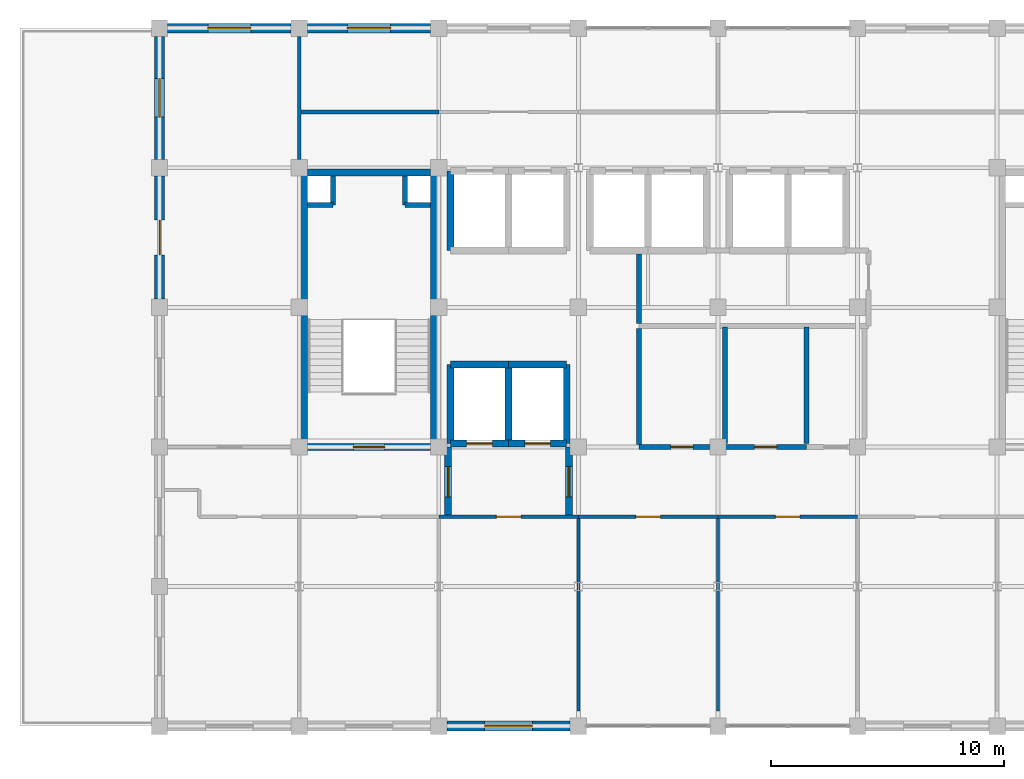
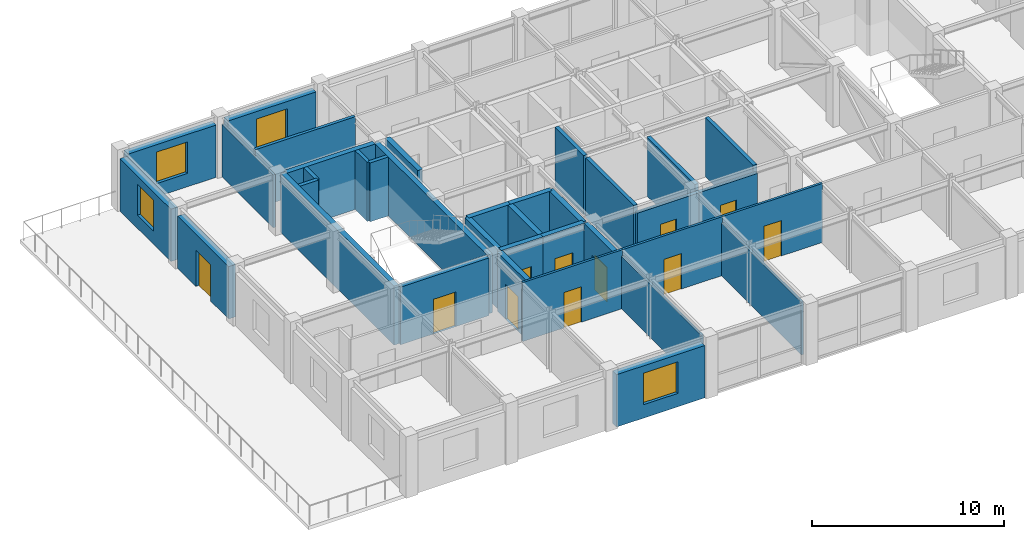
# One storey, part 12 of 15: 36 walls, 11 doors, 4 windows, 15 openings.
"""IFC4 building model written with IfcOpenShell, lengths in metres."""

from ifc_helpers import new_model, si_unit, direction, frame, frame_2d, origin, place, context, subcontext, project, spatial, rectangle, extrude, material, layer, layer_set, type_object, element, fill, save


model = new_model("IFC4")

# Units and contexts
model_context = context("Model", 3, precision=1e-05, world=origin(), true_north=direction((0.0, 1.0)))
body_context = subcontext(model_context, "Body", "Model", "MODEL_VIEW")
ifc_project = project(units=[si_unit("LENGTHUNIT", "METRE"), si_unit("AREAUNIT", "SQUARE_METRE"), si_unit("VOLUMEUNIT", "CUBIC_METRE"), si_unit("PLANEANGLEUNIT", "RADIAN"), si_unit("MASSUNIT", "GRAM", prefix="KILO")], contexts=[model_context])

# Site, building, storey
site_placement = place(None, origin())
site = spatial("IfcSite", under=ifc_project, at=site_placement, CompositionType="ELEMENT")
building_placement = place(site_placement, origin())
building = spatial("IfcBuilding", under=site, at=building_placement, Name="Zlatovratsky Civic Hall", CompositionType="ELEMENT")
storey_placement = place(building_placement, frame((0.0, 0.0, 36.60009765625)))
storey = spatial("IfcBuildingStorey", under=building, at=storey_placement, Name="L09", CompositionType="ELEMENT", Elevation=36.60009765625)

# Wall
ifc_material_1 = material(Name="Acoustic ceramic blockwork", Category="masonry")
ifc_layer_1 = layer(ifc_material_1, 0.179931640625)
ifc_layer_set_1 = layer_set([ifc_layer_1], Name="Acoustic ceramic blockwork")
wall_type_1 = type_object("IfcWallType", Name="Wall_AcousticChamberPartition_180", PredefinedType="PARTITIONING", material=ifc_layer_set_1)
wall_1_placement = place(storey_placement, frame((66.0, 98.39990234375, 0.0), z_axis=(0.0, 0.0, 1.0), x_axis=(1.0, 0.0, 0.0)))
element("IfcWall", 1, at=wall_1_placement, inside=storey, type_object=wall_type_1, Name="WL-6475", PredefinedType="PARTITIONING", context=body_context, shape_type="SweptSolid", body=[
    extrude(rectangle(XDim=6.0, YDim=0.179931640625, at=frame_2d((3.0, 0.0))), origin(), (0.0, 0.0, 1.0), 3.739990234375),
])

# Wall, opening, door
ifc_material_2 = material(Name="Fire-rated gypsum board framing", Category="gypsum")
ifc_layer_2 = layer(ifc_material_2, 0.139892578125)
ifc_layer_set_2 = layer_set([ifc_layer_2], Name="Fire-rated gypsum board framing")
wall_type_2 = type_object("IfcWallType", Name="Wall_OfficePartition_140", PredefinedType="PARTITIONING", material=ifc_layer_set_2)
wall_2_placement = place(storey_placement, frame((72.0, 81.0, 0.0), z_axis=(0.0, 0.0, 1.0), x_axis=(1.0, 0.0, 0.0)))
wall_2 = element("IfcWall", 2, at=wall_2_placement, inside=storey, type_object=wall_type_2, Name="WL-6448", PredefinedType="PARTITIONING", context=body_context, shape_type="SweptSolid", body=[
    extrude(rectangle(XDim=6.0, YDim=0.139892578125, at=frame_2d((3.0, 0.0))), origin(), (0.0, 0.0, 1.0), 3.739990234375),
])
opening_1_placement = place(wall_2_placement, frame((2.47509765625, 0.0, 0.0)))
opening_1 = element("IfcOpeningElement", 3, at=opening_1_placement, cuts=wall_2, Name="Opening D-24", PredefinedType="OPENING", context=body_context, shape_type="SweptSolid", body=[
    extrude(rectangle(XDim=1.050048828125, YDim=2.25, at=frame_2d((0.52490234375, 1.125))), frame((0.0, 0.0849609375, 0.0), z_axis=(0.0, -1.0, 0.0), x_axis=(1.0, 0.0, 0.0)), (0.0, 0.0, 1.0), 0.169677734375),
])
ifc_material_3 = material(Name="Solid oak joinery in steel frame", Category="steel")
door_type_1 = type_object("IfcDoorType", Name="Door_DirectorateOffice_1050x2250", OperationType="NOTDEFINED", PredefinedType="DOOR", material=ifc_material_3)
door_1_placement = place(opening_1_placement, origin())
door_1 = element("IfcDoor", 4, at=door_1_placement, inside=storey, type_object=door_type_1, Name="DR-5422", OperationType="SINGLE_SWING_RIGHT", OverallHeight=2.25, OverallWidth=1.050048828125, PredefinedType="DOOR", context=body_context, shape_type="SweptSolid", body=[
    extrude(rectangle(XDim=1.050048828125, YDim=2.25, at=frame_2d((0.52490234375, 1.125))), frame((0.0, 0.02490234375, 0.0), z_axis=(0.0, -1.0, 0.0), x_axis=(1.0, 0.0, 0.0)), (0.0, 0.0, 1.0), 0.050048828125),
])
fill(opening_1, door_1)

wall_3_placement = place(storey_placement, frame((78.0, 81.0, 0.0), z_axis=(0.0, 0.0, 1.0), x_axis=(1.0, 0.0, 0.0)))
wall_3 = element("IfcWall", 5, at=wall_3_placement, inside=storey, type_object=wall_type_2, Name="WL-6449", PredefinedType="PARTITIONING", context=body_context, shape_type="SweptSolid", body=[
    extrude(rectangle(XDim=6.0, YDim=0.139892578125, at=frame_2d((3.0, 0.0))), origin(), (0.0, 0.0, 1.0), 3.739990234375),
])
opening_2_placement = place(wall_3_placement, frame((2.47509765625, 0.0, 0.0)))
opening_2 = element("IfcOpeningElement", 6, at=opening_2_placement, cuts=wall_3, Name="Opening D-24", PredefinedType="OPENING", context=body_context, shape_type="SweptSolid", body=[
    extrude(rectangle(XDim=1.050048828125, YDim=2.25, at=frame_2d((0.52490234375, 1.125))), frame((0.0, 0.0849609375, 0.0), z_axis=(0.0, -1.0, 0.0), x_axis=(1.0, 0.0, 0.0)), (0.0, 0.0, 1.0), 0.169677734375),
])
door_2_placement = place(opening_2_placement, origin())
door_2 = element("IfcDoor", 7, at=door_2_placement, inside=storey, type_object=door_type_1, Name="DR-5423", OperationType="SINGLE_SWING_RIGHT", OverallHeight=2.25, OverallWidth=1.050048828125, PredefinedType="DOOR", context=body_context, shape_type="SweptSolid", body=[
    extrude(rectangle(XDim=1.050048828125, YDim=2.25, at=frame_2d((0.52490234375, 1.125))), frame((0.0, 0.02490234375, 0.0), z_axis=(0.0, -1.0, 0.0), x_axis=(1.0, 0.0, 0.0)), (0.0, 0.0, 1.0), 0.050048828125),
])
fill(opening_2, door_2)

wall_4_placement = place(storey_placement, frame((84.0, 81.0, 0.0), z_axis=(0.0, 0.0, 1.0), x_axis=(1.0, 0.0, 0.0)))
wall_4 = element("IfcWall", 8, at=wall_4_placement, inside=storey, type_object=wall_type_2, Name="WL-6450", PredefinedType="PARTITIONING", context=body_context, shape_type="SweptSolid", body=[
    extrude(rectangle(XDim=6.0, YDim=0.139892578125, at=frame_2d((3.0, 0.0))), origin(), (0.0, 0.0, 1.0), 3.739990234375),
])
opening_3_placement = place(wall_4_placement, frame((2.47509765625, 0.0, 0.0)))
opening_3 = element("IfcOpeningElement", 9, at=opening_3_placement, cuts=wall_4, Name="Opening D-24", PredefinedType="OPENING", context=body_context, shape_type="SweptSolid", body=[
    extrude(rectangle(XDim=1.050048828125, YDim=2.25, at=frame_2d((0.52490234375, 1.125))), frame((0.0, 0.0849609375, 0.0), z_axis=(0.0, -1.0, 0.0), x_axis=(1.0, 0.0, 0.0)), (0.0, 0.0, 1.0), 0.169677734375),
])
door_3_placement = place(opening_3_placement, origin())
door_3 = element("IfcDoor", 10, at=door_3_placement, inside=storey, type_object=door_type_1, Name="DR-5424", OperationType="SINGLE_SWING_RIGHT", OverallHeight=2.25, OverallWidth=1.050048828125, PredefinedType="DOOR", context=body_context, shape_type="SweptSolid", body=[
    extrude(rectangle(XDim=1.050048828125, YDim=2.25, at=frame_2d((0.52490234375, 1.125))), frame((0.0, 0.02490234375, 0.0), z_axis=(0.0, -1.0, 0.0), x_axis=(1.0, 0.0, 0.0)), (0.0, 0.0, 1.0), 0.050048828125),
])
fill(opening_3, door_3)

# Walls
for number, where, z_axis, x_axis, name in (
    (11, (78.0, 72.64990234375, 0.0), (0.0, 0.0, 1.0), (0.0, 1.0, 0.0), "WL-6460"),
    (12, (84.0, 72.64990234375, 0.0), (0.0, 0.0, 1.0), (0.0, 1.0, 0.0), "WL-6461"),
):
    element("IfcWall", number, at=place(storey_placement, frame(where, z_axis=z_axis, x_axis=x_axis)), inside=storey, type_object=wall_type_2, Name=name, PredefinedType="PARTITIONING", context=body_context, shape_type="SweptSolid", body=[
        extrude(rectangle(XDim=8.35009765625, YDim=0.139892578125, at=frame_2d((4.175048828125, 0.0))), origin(), (0.0, 0.0, 1.0), 3.347900390625),
    ])
wall_5_placement = place(storey_placement, frame((66.0, 96.35009765625, 0.0), z_axis=(0.0, 0.0, 1.0), x_axis=(0.0, 1.0, 0.0)))
element("IfcWall", 13, at=wall_5_placement, inside=storey, type_object=wall_type_2, Name="WL-6478", PredefinedType="PARTITIONING", context=body_context, shape_type="SweptSolid", body=[
    extrude(rectangle(XDim=5.2998046875, YDim=0.139892578125, at=frame_2d((2.64990234375, 0.0))), origin(), (0.0, 0.0, 1.0), 3.347900390625),
])
ifc_layer_3 = layer(ifc_material_1, 0.219970703125)
ifc_layer_set_3 = layer_set([ifc_layer_3], Name="Acoustic ceramic blockwork")
wall_type_3 = type_object("IfcWallType", Name="Wall_SanitaryWetCore_220", PredefinedType="PARTITIONING", material=ifc_layer_set_3)
wall_6_placement = place(storey_placement, frame((67.449951171875, 94.39990234375, 0.0), z_axis=(0.0, 0.0, 1.0), x_axis=(0.0, 1.0, 0.0)))
element("IfcWall", 14, at=wall_6_placement, inside=storey, type_object=wall_type_3, Name="WL-5077", PredefinedType="PARTITIONING", context=body_context, shape_type="SweptSolid", body=[
    extrude(rectangle(XDim=1.25, YDim=0.219970703125, at=frame_2d((0.625, 0.0))), origin(), (0.0, 0.0, 1.0), 3.739990234375),
])
wall_7_placement = place(storey_placement, frame((66.35009765625, 94.39990234375, 0.0), z_axis=(0.0, 0.0, 1.0), x_axis=(1.0, 0.0, 0.0)))
element("IfcWall", 15, at=wall_7_placement, inside=storey, type_object=wall_type_3, Name="WL-5078", PredefinedType="PARTITIONING", context=body_context, shape_type="SweptSolid", body=[
    extrude(rectangle(XDim=1.099853515625, YDim=0.219970703125, at=frame_2d((0.5498046875, 0.0))), origin(), (0.0, 0.0, 1.0), 3.739990234375),
])
wall_8_placement = place(storey_placement, frame((70.550048828125, 94.39990234375, 0.0), z_axis=(0.0, 0.0, 1.0), x_axis=(0.0, 1.0, 0.0)))
element("IfcWall", 16, at=wall_8_placement, inside=storey, type_object=wall_type_3, Name="WL-5079", PredefinedType="PARTITIONING", context=body_context, shape_type="SweptSolid", body=[
    extrude(rectangle(XDim=1.25, YDim=0.219970703125, at=frame_2d((0.625, 0.0))), origin(), (0.0, 0.0, 1.0), 3.739990234375),
])
wall_9_placement = place(storey_placement, frame((70.550048828125, 94.39990234375, 0.0), z_axis=(0.0, 0.0, 1.0), x_axis=(1.0, 0.0, 0.0)))
element("IfcWall", 17, at=wall_9_placement, inside=storey, type_object=wall_type_3, Name="WL-5080", PredefinedType="PARTITIONING", context=body_context, shape_type="SweptSolid", body=[
    extrude(rectangle(XDim=1.099853515625, YDim=0.219970703125, at=frame_2d((0.5498046875, 0.0))), origin(), (0.0, 0.0, 1.0), 3.739990234375),
])

# Wall, opening, door
wall_10_placement = place(storey_placement, frame((80.60009765625, 84.0, 0.0), z_axis=(0.0, 0.0, 1.0), x_axis=(1.0, 0.0, 0.0)))
wall_10 = element("IfcWall", 18, at=wall_10_placement, inside=storey, type_object=wall_type_3, Name="WL-6439", PredefinedType="PARTITIONING", context=body_context, shape_type="SweptSolid", body=[
    extrude(rectangle(XDim=3.699951171875, YDim=0.219970703125, at=frame_2d((1.85009765625, 0.0))), origin(), (0.0, 0.0, 1.0), 3.347900390625),
])
opening_4_placement = place(wall_10_placement, frame((1.375, 0.0, 0.0)))
opening_4 = element("IfcOpeningElement", 19, at=opening_4_placement, cuts=wall_10, Name="Opening D-21", PredefinedType="OPENING", context=body_context, shape_type="SweptSolid", body=[
    extrude(rectangle(XDim=0.949951171875, YDim=2.14990234375, at=frame_2d((0.47509765625, 1.074951171875))), frame((0.0, 0.125, 0.0), z_axis=(0.0, -1.0, 0.0), x_axis=(1.0, 0.0, 0.0)), (0.0, 0.0, 1.0), 0.249755859375),
])
door_type_2 = type_object("IfcDoorType", Name="Door_MensWC_950x2150", OperationType="NOTDEFINED", PredefinedType="DOOR", material=ifc_material_3)
door_4_placement = place(opening_4_placement, origin())
door_4 = element("IfcDoor", 20, at=door_4_placement, inside=storey, type_object=door_type_2, Name="DR-5416", OperationType="SINGLE_SWING_LEFT", OverallHeight=2.14990234375, OverallWidth=0.949951171875, PredefinedType="DOOR", context=body_context, shape_type="SweptSolid", body=[
    extrude(rectangle(XDim=0.949951171875, YDim=2.14990234375, at=frame_2d((0.47509765625, 1.074951171875))), frame((0.0, 0.02490234375, 0.0), z_axis=(0.0, -1.0, 0.0), x_axis=(1.0, 0.0, 0.0)), (0.0, 0.0, 1.0), 0.050048828125),
])
fill(opening_4, door_4)

wall_11_placement = place(storey_placement, frame((84.300048828125, 84.0, 0.0), z_axis=(0.0, 0.0, 1.0), x_axis=(1.0, 0.0, 0.0)))
wall_11 = element("IfcWall", 21, at=wall_11_placement, inside=storey, type_object=wall_type_3, Name="WL-6440", PredefinedType="PARTITIONING", context=body_context, shape_type="SweptSolid", body=[
    extrude(rectangle(XDim=3.5, YDim=0.219970703125, at=frame_2d((1.75, 0.0))), origin(), (0.0, 0.0, 1.0), 3.347900390625),
])
opening_5_placement = place(wall_11_placement, frame((1.27490234375, 0.0, 0.0)))
opening_5 = element("IfcOpeningElement", 22, at=opening_5_placement, cuts=wall_11, Name="Opening D-22", PredefinedType="OPENING", context=body_context, shape_type="SweptSolid", body=[
    extrude(rectangle(XDim=0.949951171875, YDim=2.10009765625, at=frame_2d((0.47509765625, 1.050048828125))), frame((0.0, 0.125, 0.0), z_axis=(0.0, -1.0, 0.0), x_axis=(1.0, 0.0, 0.0)), (0.0, 0.0, 1.0), 0.249755859375),
])
door_type_3 = type_object("IfcDoorType", Name="Door_WomensWC_950x2100", OperationType="NOTDEFINED", PredefinedType="DOOR", material=ifc_material_3)
door_5_placement = place(opening_5_placement, origin())
door_5 = element("IfcDoor", 23, at=door_5_placement, inside=storey, type_object=door_type_3, Name="DR-5417", OperationType="SINGLE_SWING_RIGHT", OverallHeight=2.10009765625, OverallWidth=0.949951171875, PredefinedType="DOOR", context=body_context, shape_type="SweptSolid", body=[
    extrude(rectangle(XDim=0.949951171875, YDim=2.10009765625, at=frame_2d((0.47509765625, 1.050048828125))), frame((0.0, 0.02490234375, 0.0), z_axis=(0.0, -1.0, 0.0), x_axis=(1.0, 0.0, 0.0)), (0.0, 0.0, 1.0), 0.050048828125),
])
fill(opening_5, door_5)

# Walls
for number, where, z_axis, x_axis, name in (
    (24, (84.300048828125, 84.14990234375, 0.0), (0.0, 0.0, 1.0), (0.0, 1.0, 0.0), "WL-6442"),
    (25, (87.800048828125, 84.14990234375, 0.0), (0.0, 0.0, 1.0), (0.0, 1.0, 0.0), "WL-6443"),
):
    element("IfcWall", number, at=place(storey_placement, frame(where, z_axis=z_axis, x_axis=x_axis)), inside=storey, type_object=wall_type_3, Name=name, PredefinedType="PARTITIONING", context=body_context, shape_type="SweptSolid", body=[
        extrude(rectangle(XDim=5.0, YDim=0.219970703125, at=frame_2d((2.5, 0.0))), origin(), (0.0, 0.0, 1.0), 3.739990234375),
    ])
wall_12_placement = place(storey_placement, frame((80.60009765625, 84.110107421875, 0.0), z_axis=(0.0, 0.0, 1.0), x_axis=(0.0, 1.0, 0.0)))
element("IfcWall", 26, at=wall_12_placement, inside=storey, type_object=wall_type_3, Name="WL-6466", PredefinedType="PARTITIONING", context=body_context, shape_type="SweptSolid", body=[
    extrude(rectangle(XDim=4.97998046875, YDim=0.219970703125, at=frame_2d((2.489990234375, 0.0))), origin(), (0.0, 0.0, 1.0), 3.739990234375),
])
wall_13_placement = place(storey_placement, frame((80.60009765625, 89.31005859375, 0.0), z_axis=(0.0, 0.0, 1.0), x_axis=(0.0, 1.0, 0.0)))
element("IfcWall", 27, at=wall_13_placement, inside=storey, type_object=wall_type_3, Name="WL-6468", PredefinedType="PARTITIONING", context=body_context, shape_type="SweptSolid", body=[
    extrude(rectangle(XDim=2.989990234375, YDim=0.219970703125, at=frame_2d((1.4951171875, 0.0))), origin(), (0.0, 0.0, 1.0), 3.739990234375),
])

# Wall, opening, door
ifc_material_4 = material(Name="Concrete C35/45 (B40)", Category="concrete")
ifc_layer_4 = layer(ifc_material_4, 0.300048828125)
ifc_layer_set_4 = layer_set([ifc_layer_4], Name="Concrete C35/45 (B40)")
wall_type_4 = type_object("IfcWallType", Name="Wall_StairAndLiftShaft_300", PredefinedType="SHEAR", material=ifc_layer_set_4)
wall_14_placement = place(storey_placement, frame((66.35009765625, 84.0, 0.0), z_axis=(0.0, 0.0, 1.0), x_axis=(1.0, 0.0, 0.0)))
wall_14 = element("IfcWall", 28, at=wall_14_placement, inside=storey, type_object=wall_type_4, Name="WL-5073", PredefinedType="SHEAR", context=body_context, shape_type="SweptSolid", body=[
    extrude(rectangle(XDim=5.2998046875, YDim=0.300048828125, at=frame_2d((2.64990234375, 0.0))), origin(), (0.0, 0.0, 1.0), 3.659912109375),
])
opening_6_placement = place(wall_14_placement, frame((1.97509765625, 0.0, 0.0)))
opening_6 = element("IfcOpeningElement", 29, at=opening_6_placement, cuts=wall_14, Name="Opening D-17", PredefinedType="OPENING", context=body_context, shape_type="SweptSolid", body=[
    extrude(rectangle(XDim=1.35009765625, YDim=2.199951171875, at=frame_2d((0.675048828125, 1.10009765625))), frame((0.0, 0.1650390625, 0.0), z_axis=(0.0, -1.0, 0.0), x_axis=(1.0, 0.0, 0.0)), (0.0, 0.0, 1.0), 0.329833984375),
])
ifc_material_5 = material(Name="Insulated painted fire-rated steel leaf", Category="steel")
door_type_4 = type_object("IfcDoorType", Name="Door_StairwellFireTower_1350x2200", OperationType="NOTDEFINED", PredefinedType="DOOR", material=ifc_material_5)
door_6_placement = place(opening_6_placement, origin())
door_6 = element("IfcDoor", 30, at=door_6_placement, inside=storey, type_object=door_type_4, Name="DR-5010", OperationType="SINGLE_SWING_LEFT", OverallHeight=2.199951171875, OverallWidth=1.35009765625, PredefinedType="DOOR", context=body_context, shape_type="SweptSolid", body=[
    extrude(rectangle(XDim=1.35009765625, YDim=2.199951171875, at=frame_2d((0.675048828125, 1.10009765625))), frame((0.0, 0.02490234375, 0.0), z_axis=(0.0, -1.0, 0.0), x_axis=(1.0, 0.0, 0.0)), (0.0, 0.0, 1.0), 0.050048828125),
])
fill(opening_6, door_6)

# Walls
wall_15_placement = place(storey_placement, frame((66.35009765625, 95.800048828125, 0.0), z_axis=(0.0, 0.0, 1.0), x_axis=(1.0, 0.0, 0.0)))
element("IfcWall", 31, at=wall_15_placement, inside=storey, type_object=wall_type_4, Name="WL-5074", PredefinedType="SHEAR", context=body_context, shape_type="SweptSolid", body=[
    extrude(rectangle(XDim=5.2998046875, YDim=0.300048828125, at=frame_2d((2.64990234375, 0.0))), origin(), (0.0, 0.0, 1.0), 3.739990234375),
])
for number, where, z_axis, x_axis, name in (
    (32, (66.199951171875, 84.0, 0.0), (0.0, 0.0, 1.0), (0.0, 1.0, 0.0), "WL-5075"),
    (33, (71.800048828125, 84.0, 0.0), (0.0, 0.0, 1.0), (0.0, 1.0, 0.0), "WL-5076"),
):
    element("IfcWall", number, at=place(storey_placement, frame(where, z_axis=z_axis, x_axis=x_axis)), inside=storey, type_object=wall_type_4, Name=name, PredefinedType="SHEAR", context=body_context, shape_type="SweptSolid", body=[
        extrude(rectangle(XDim=11.800048828125, YDim=0.300048828125, at=frame_2d((5.89990234375, 0.0))), origin(), (0.0, 0.0, 1.0), 3.739990234375),
    ])

# Wall, opening, door
wall_16_placement = place(storey_placement, frame((72.5, 84.14990234375, 0.0), z_axis=(0.0, 0.0, 1.0), x_axis=(1.0, 0.0, 0.0)))
wall_16 = element("IfcWall", 34, at=wall_16_placement, inside=storey, type_object=wall_type_4, Name="WL-5520", PredefinedType="SHEAR", context=body_context, shape_type="SweptSolid", body=[
    extrude(rectangle(XDim=2.5, YDim=0.300048828125, at=frame_2d((1.25, 0.0))), origin(), (0.0, 0.0, 1.0), 3.739990234375),
])
opening_7_placement = place(wall_16_placement, frame((0.699951171875, 0.0, 0.0)))
opening_7 = element("IfcOpeningElement", 35, at=opening_7_placement, cuts=wall_16, Name="Opening LD-01", PredefinedType="OPENING", context=body_context, shape_type="SweptSolid", body=[
    extrude(rectangle(XDim=1.10009765625, YDim=2.10009765625, at=frame_2d((0.550048828125, 1.050048828125))), frame((0.0, 0.1650390625, 0.0), z_axis=(0.0, -1.0, 0.0), x_axis=(1.0, 0.0, 0.0)), (0.0, 0.0, 1.0), 0.329833984375),
])
ifc_material_6 = material(Name="Brushed stainless steel AISI 304", Category="steel")
door_type_5 = type_object("IfcDoorType", Name="Door_LiftLandingFire_1100x2100", OperationType="DOUBLE_DOOR_SLIDING", PredefinedType="DOOR", material=ifc_material_6)
door_7_placement = place(opening_7_placement, origin())
door_7 = element("IfcDoor", 36, at=door_7_placement, inside=storey, type_object=door_type_5, Name="Lift landing door LD-5068", OperationType="DOUBLE_DOOR_SLIDING", OverallHeight=2.10009765625, OverallWidth=1.10009765625, PredefinedType="DOOR", context=body_context, shape_type="SweptSolid", body=[
    extrude(rectangle(XDim=1.10009765625, YDim=2.10009765625, at=frame_2d((0.550048828125, 1.050048828125))), frame((0.0, 0.02490234375, 0.0), z_axis=(0.0, -1.0, 0.0), x_axis=(1.0, 0.0, 0.0)), (0.0, 0.0, 1.0), 0.050048828125),
])
fill(opening_7, door_7)

# Walls
wall_17_placement = place(storey_placement, frame((72.5, 87.550048828125, 0.0), z_axis=(0.0, 0.0, 1.0), x_axis=(1.0, 0.0, 0.0)))
element("IfcWall", 37, at=wall_17_placement, inside=storey, type_object=wall_type_4, Name="WL-5521", PredefinedType="SHEAR", context=body_context, shape_type="SweptSolid", body=[
    extrude(rectangle(XDim=2.5, YDim=0.300048828125, at=frame_2d((1.25, 0.0))), origin(), (0.0, 0.0, 1.0), 3.739990234375),
])
wall_18_placement = place(storey_placement, frame((72.5, 84.14990234375, 0.0), z_axis=(0.0, 0.0, 1.0), x_axis=(0.0, 1.0, 0.0)))
element("IfcWall", 38, at=wall_18_placement, inside=storey, type_object=wall_type_4, Name="WL-5522", PredefinedType="SHEAR", context=body_context, shape_type="SweptSolid", body=[
    extrude(rectangle(XDim=3.400146484375, YDim=0.300048828125, at=frame_2d((1.7001953125, 0.0))), origin(), (0.0, 0.0, 1.0), 3.739990234375),
])

# Wall, opening, door
wall_19_placement = place(storey_placement, frame((75.0, 84.14990234375, 0.0), z_axis=(0.0, 0.0, 1.0), x_axis=(1.0, 0.0, 0.0)))
wall_19 = element("IfcWall", 39, at=wall_19_placement, inside=storey, type_object=wall_type_4, Name="WL-5586", PredefinedType="SHEAR", context=body_context, shape_type="SweptSolid", body=[
    extrude(rectangle(XDim=2.5, YDim=0.300048828125, at=frame_2d((1.25, 0.0))), origin(), (0.0, 0.0, 1.0), 3.739990234375),
])
opening_8_placement = place(wall_19_placement, frame((0.699951171875, 0.0, 0.0)))
opening_8 = element("IfcOpeningElement", 40, at=opening_8_placement, cuts=wall_19, Name="Opening LD-01", PredefinedType="OPENING", context=body_context, shape_type="SweptSolid", body=[
    extrude(rectangle(XDim=1.10009765625, YDim=2.10009765625, at=frame_2d((0.550048828125, 1.050048828125))), frame((0.0, 0.1650390625, 0.0), z_axis=(0.0, -1.0, 0.0), x_axis=(1.0, 0.0, 0.0)), (0.0, 0.0, 1.0), 0.329833984375),
])
door_8_placement = place(opening_8_placement, origin())
door_8 = element("IfcDoor", 41, at=door_8_placement, inside=storey, type_object=door_type_5, Name="Lift landing door LD-5087", OperationType="DOUBLE_DOOR_SLIDING", OverallHeight=2.10009765625, OverallWidth=1.10009765625, PredefinedType="DOOR", context=body_context, shape_type="SweptSolid", body=[
    extrude(rectangle(XDim=1.10009765625, YDim=2.10009765625, at=frame_2d((0.550048828125, 1.050048828125))), frame((0.0, 0.02490234375, 0.0), z_axis=(0.0, -1.0, 0.0), x_axis=(1.0, 0.0, 0.0)), (0.0, 0.0, 1.0), 0.050048828125),
])
fill(opening_8, door_8)

# Walls
wall_20_placement = place(storey_placement, frame((75.0, 87.550048828125, 0.0), z_axis=(0.0, 0.0, 1.0), x_axis=(1.0, 0.0, 0.0)))
element("IfcWall", 42, at=wall_20_placement, inside=storey, type_object=wall_type_4, Name="WL-5587", PredefinedType="SHEAR", context=body_context, shape_type="SweptSolid", body=[
    extrude(rectangle(XDim=2.5, YDim=0.300048828125, at=frame_2d((1.25, 0.0))), origin(), (0.0, 0.0, 1.0), 3.739990234375),
])
for number, where, z_axis, x_axis, name in (
    (43, (75.0, 84.14990234375, 0.0), (0.0, 0.0, 1.0), (0.0, 1.0, 0.0), "WL-5588"),
    (44, (77.5, 84.14990234375, 0.0), (0.0, 0.0, 1.0), (0.0, 1.0, 0.0), "WL-5589"),
    (45, (72.5, 92.449951171875, 0.0), (0.0, 0.0, 1.0), (0.0, 1.0, 0.0), "WL-5655"),
):
    element("IfcWall", number, at=place(storey_placement, frame(where, z_axis=z_axis, x_axis=x_axis)), inside=storey, type_object=wall_type_4, Name=name, PredefinedType="SHEAR", context=body_context, shape_type="SweptSolid", body=[
        extrude(rectangle(XDim=3.400146484375, YDim=0.300048828125, at=frame_2d((1.7001953125, 0.0))), origin(), (0.0, 0.0, 1.0), 3.739990234375),
    ])

# Wall, opening, door
wall_21_placement = place(storey_placement, frame((72.39990234375, 81.0, 0.0), z_axis=(0.0, 0.0, 1.0), x_axis=(0.0, 1.0, 0.0)))
wall_21 = element("IfcWall", 46, at=wall_21_placement, inside=storey, type_object=wall_type_4, Name="WL-6437", PredefinedType="SHEAR", context=body_context, shape_type="SweptSolid", body=[
    extrude(rectangle(XDim=3.0, YDim=0.300048828125, at=frame_2d((1.5, 0.0))), origin(), (0.0, 0.0, 1.0), 3.739990234375),
])
opening_9_placement = place(wall_21_placement, frame((0.85009765625, 0.0, 0.0)))
opening_9 = element("IfcOpeningElement", 47, at=opening_9_placement, cuts=wall_21, Name="Opening D-18", PredefinedType="OPENING", context=body_context, shape_type="SweptSolid", body=[
    extrude(rectangle(XDim=1.300048828125, YDim=2.199951171875, at=frame_2d((0.64990234375, 1.10009765625))), frame((0.0, 0.1650390625, 0.0), z_axis=(0.0, -1.0, 0.0), x_axis=(1.0, 0.0, 0.0)), (0.0, 0.0, 1.0), 0.329833984375),
])
door_type_6 = type_object("IfcDoorType", Name="Door_FireLobbyAirlock_1300x2200", OperationType="NOTDEFINED", PredefinedType="DOOR", material=ifc_material_5)
door_9_placement = place(opening_9_placement, origin())
door_9 = element("IfcDoor", 48, at=door_9_placement, inside=storey, type_object=door_type_6, Name="DR-5414", OperationType="SINGLE_SWING_RIGHT", OverallHeight=2.199951171875, OverallWidth=1.300048828125, PredefinedType="DOOR", context=body_context, shape_type="SweptSolid", body=[
    extrude(rectangle(XDim=1.300048828125, YDim=2.199951171875, at=frame_2d((0.64990234375, 1.10009765625))), frame((0.0, 0.02490234375, 0.0), z_axis=(0.0, -1.0, 0.0), x_axis=(1.0, 0.0, 0.0)), (0.0, 0.0, 1.0), 0.050048828125),
])
fill(opening_9, door_9)

wall_22_placement = place(storey_placement, frame((77.60009765625, 81.0, 0.0), z_axis=(0.0, 0.0, 1.0), x_axis=(0.0, 1.0, 0.0)))
wall_22 = element("IfcWall", 49, at=wall_22_placement, inside=storey, type_object=wall_type_4, Name="WL-6438", PredefinedType="SHEAR", context=body_context, shape_type="SweptSolid", body=[
    extrude(rectangle(XDim=3.0, YDim=0.300048828125, at=frame_2d((1.5, 0.0))), origin(), (0.0, 0.0, 1.0), 3.739990234375),
])
opening_10_placement = place(wall_22_placement, frame((0.85009765625, 0.0, 0.0)))
opening_10 = element("IfcOpeningElement", 50, at=opening_10_placement, cuts=wall_22, Name="Opening D-18", PredefinedType="OPENING", context=body_context, shape_type="SweptSolid", body=[
    extrude(rectangle(XDim=1.300048828125, YDim=2.199951171875, at=frame_2d((0.64990234375, 1.10009765625))), frame((0.0, 0.1650390625, 0.0), z_axis=(0.0, -1.0, 0.0), x_axis=(1.0, 0.0, 0.0)), (0.0, 0.0, 1.0), 0.329833984375),
])
door_10_placement = place(opening_10_placement, origin())
door_10 = element("IfcDoor", 51, at=door_10_placement, inside=storey, type_object=door_type_6, Name="DR-5415", OperationType="SINGLE_SWING_RIGHT", OverallHeight=2.199951171875, OverallWidth=1.300048828125, PredefinedType="DOOR", context=body_context, shape_type="SweptSolid", body=[
    extrude(rectangle(XDim=1.300048828125, YDim=2.199951171875, at=frame_2d((0.64990234375, 1.10009765625))), frame((0.0, 0.02490234375, 0.0), z_axis=(0.0, -1.0, 0.0), x_axis=(1.0, 0.0, 0.0)), (0.0, 0.0, 1.0), 0.050048828125),
])
fill(opening_10, door_10)

# Wall, opening, window
ifc_layer_5 = layer(ifc_material_1, 0.280029296875, Name="Backing")
ifc_material_7 = material(Name="Podolsk limestone ashlar", Category="masonry")
ifc_layer_6 = layer(ifc_material_7, 0.139892578125, Name="Finish")
ifc_layer_set_5 = layer_set([ifc_layer_5, ifc_layer_6], Name="Acoustic ceramic blockwork")
wall_type_5 = type_object("IfcWallType", Name="Wall_TowerLimestoneAshlar_420", PredefinedType="SOLIDWALL", material=ifc_layer_set_5)
wall_23_placement = place(storey_placement, frame((72.35009765625, 72.0, 0.0), z_axis=(0.0, 0.0, 1.0), x_axis=(1.0, 0.0, 0.0)))
wall_23 = element("IfcWall", 52, at=wall_23_placement, inside=storey, type_object=wall_type_5, Name="WL-0503", PredefinedType="SOLIDWALL", context=body_context, shape_type="SweptSolid", body=[
    extrude(rectangle(XDim=5.2998046875, YDim=0.419921875, at=frame_2d((2.64990234375, 0.0))), origin(), (0.0, 0.0, 1.0), 3.31982421875),
])
opening_11_placement = place(wall_23_placement, frame((1.625, 0.0, 0.85009765625)))
opening_11 = element("IfcOpeningElement", 53, at=opening_11_placement, cuts=wall_23, Name="Opening WN-17", PredefinedType="OPENING", context=body_context, shape_type="SweptSolid", body=[
    extrude(rectangle(XDim=2.050048828125, YDim=2.0, at=frame_2d((1.02490234375, 1.0))), frame((0.0, 0.224853515625, 0.0), z_axis=(0.0, -1.0, 0.0), x_axis=(1.0, 0.0, 0.0)), (0.0, 0.0, 1.0), 0.44970703125),
])
ifc_material_8 = material(Name="Low-E laminated double glazing", Category="glass")
window_type_1 = type_object("IfcWindowType", Name="Window_TowerTier2South_2050x2000", PartitioningType="SINGLE_PANEL", PredefinedType="WINDOW", material=ifc_material_8)
window_1_placement = place(opening_11_placement, origin())
window_1 = element("IfcWindow", 54, at=window_1_placement, inside=storey, type_object=window_type_1, Name="WN-0379", OverallHeight=2.0, OverallWidth=2.050048828125, PartitioningType="SINGLE_PANEL", PredefinedType="WINDOW", context=body_context, shape_type="SweptSolid", body=[
    extrude(rectangle(XDim=2.050048828125, YDim=2.0, at=frame_2d((1.02490234375, 1.0))), frame((0.0, 0.030029296875, 0.0), z_axis=(0.0, -1.0, 0.0), x_axis=(1.0, 0.0, 0.0)), (0.0, 0.0, 1.0), 0.06005859375),
])
fill(opening_11, window_1)

wall_24_placement = place(storey_placement, frame((60.35009765625, 102.0, 0.0), z_axis=(0.0, 0.0, 1.0), x_axis=(1.0, 0.0, 0.0)))
wall_24 = element("IfcWall", 55, at=wall_24_placement, inside=storey, type_object=wall_type_5, Name="WL-0507", PredefinedType="SOLIDWALL", context=body_context, shape_type="SweptSolid", body=[
    extrude(rectangle(XDim=5.2998046875, YDim=0.419921875, at=frame_2d((2.64990234375, 0.0))), origin(), (0.0, 0.0, 1.0), 3.31982421875),
])
opening_12_placement = place(wall_24_placement, frame((1.72509765625, 0.0, 0.85009765625)))
opening_12 = element("IfcOpeningElement", 56, at=opening_12_placement, cuts=wall_24, Name="Opening WN-18", PredefinedType="OPENING", context=body_context, shape_type="SweptSolid", body=[
    extrude(rectangle(XDim=1.85009765625, YDim=2.0, at=frame_2d((0.925048828125, 1.0))), frame((0.0, 0.224853515625, 0.0), z_axis=(0.0, -1.0, 0.0), x_axis=(1.0, 0.0, 0.0)), (0.0, 0.0, 1.0), 0.44970703125),
])
window_type_2 = type_object("IfcWindowType", Name="Window_TowerTier2North_1850x2000", PartitioningType="SINGLE_PANEL", PredefinedType="WINDOW", material=ifc_material_8)
window_2_placement = place(opening_12_placement, origin())
window_2 = element("IfcWindow", 57, at=window_2_placement, inside=storey, type_object=window_type_2, Name="WN-0383", OverallHeight=2.0, OverallWidth=1.85009765625, PartitioningType="SINGLE_PANEL", PredefinedType="WINDOW", context=body_context, shape_type="SweptSolid", body=[
    extrude(rectangle(XDim=1.85009765625, YDim=2.0, at=frame_2d((0.925048828125, 1.0))), frame((0.0, 0.030029296875, 0.0), z_axis=(0.0, -1.0, 0.0), x_axis=(1.0, 0.0, 0.0)), (0.0, 0.0, 1.0), 0.06005859375),
])
fill(opening_12, window_2)

wall_25_placement = place(storey_placement, frame((66.35009765625, 102.0, 0.0), z_axis=(0.0, 0.0, 1.0), x_axis=(1.0, 0.0, 0.0)))
wall_25 = element("IfcWall", 58, at=wall_25_placement, inside=storey, type_object=wall_type_5, Name="WL-0508", PredefinedType="SOLIDWALL", context=body_context, shape_type="SweptSolid", body=[
    extrude(rectangle(XDim=5.2998046875, YDim=0.419921875, at=frame_2d((2.64990234375, 0.0))), origin(), (0.0, 0.0, 1.0), 3.31982421875),
])
opening_13_placement = place(wall_25_placement, frame((1.72509765625, 0.0, 0.85009765625)))
opening_13 = element("IfcOpeningElement", 59, at=opening_13_placement, cuts=wall_25, Name="Opening WN-18", PredefinedType="OPENING", context=body_context, shape_type="SweptSolid", body=[
    extrude(rectangle(XDim=1.85009765625, YDim=2.0, at=frame_2d((0.925048828125, 1.0))), frame((0.0, 0.224853515625, 0.0), z_axis=(0.0, -1.0, 0.0), x_axis=(1.0, 0.0, 0.0)), (0.0, 0.0, 1.0), 0.44970703125),
])
window_3_placement = place(opening_13_placement, origin())
window_3 = element("IfcWindow", 60, at=window_3_placement, inside=storey, type_object=window_type_2, Name="WN-0384", OverallHeight=2.0, OverallWidth=1.85009765625, PartitioningType="SINGLE_PANEL", PredefinedType="WINDOW", context=body_context, shape_type="SweptSolid", body=[
    extrude(rectangle(XDim=1.85009765625, YDim=2.0, at=frame_2d((0.925048828125, 1.0))), frame((0.0, 0.030029296875, 0.0), z_axis=(0.0, -1.0, 0.0), x_axis=(1.0, 0.0, 0.0)), (0.0, 0.0, 1.0), 0.06005859375),
])
fill(opening_13, window_3)

# Wall, opening, door
wall_26_placement = place(storey_placement, frame((60.0, 90.35009765625, 0.0), z_axis=(0.0, 0.0, 1.0), x_axis=(0.0, 1.0, 0.0)))
wall_26 = element("IfcWall", 61, at=wall_26_placement, inside=storey, type_object=wall_type_5, Name="WL-0516", PredefinedType="SOLIDWALL", context=body_context, shape_type="SweptSolid", body=[
    extrude(rectangle(XDim=5.2998046875, YDim=0.419921875, at=frame_2d((2.64990234375, 0.0))), origin(), (0.0, 0.0, 1.0), 3.31982421875),
])
opening_14_placement = place(wall_26_placement, frame((1.89990234375, 0.0, 0.0)))
opening_14 = element("IfcOpeningElement", 62, at=opening_14_placement, cuts=wall_26, Name="Opening D-08", PredefinedType="OPENING", context=body_context, shape_type="SweptSolid", body=[
    extrude(rectangle(XDim=1.5, YDim=2.300048828125, at=frame_2d((0.75, 1.14990234375))), frame((0.0, 0.224853515625, 0.0), z_axis=(0.0, -1.0, 0.0), x_axis=(1.0, 0.0, 0.0)), (0.0, 0.0, 1.0), 0.44970703125),
])
ifc_material_9 = material(Name="Monumental cast bronze glazed portal", Category="aluminium")
door_type_7 = type_object("IfcDoorType", Name="Door_SetbackTerrace_1500x2300", OperationType="DOUBLE_DOOR_SINGLE_SWING", PredefinedType="DOOR", material=ifc_material_9)
door_11_placement = place(opening_14_placement, origin())
door_11 = element("IfcDoor", 63, at=door_11_placement, inside=storey, type_object=door_type_7, Name="DR-0024", OperationType="DOUBLE_DOOR_SINGLE_SWING", OverallHeight=2.300048828125, OverallWidth=1.5, PredefinedType="DOOR", context=body_context, shape_type="SweptSolid", body=[
    extrude(rectangle(XDim=1.5, YDim=2.300048828125, at=frame_2d((0.75, 1.14990234375))), frame((0.0, 0.02490234375, 0.0), z_axis=(0.0, -1.0, 0.0), x_axis=(1.0, 0.0, 0.0)), (0.0, 0.0, 1.0), 0.050048828125),
])
fill(opening_14, door_11)

# Wall, opening, window
wall_27_placement = place(storey_placement, frame((60.0, 96.35009765625, 0.0), z_axis=(0.0, 0.0, 1.0), x_axis=(0.0, 1.0, 0.0)))
wall_27 = element("IfcWall", 64, at=wall_27_placement, inside=storey, type_object=wall_type_5, Name="WL-0517", PredefinedType="SOLIDWALL", context=body_context, shape_type="SweptSolid", body=[
    extrude(rectangle(XDim=5.2998046875, YDim=0.419921875, at=frame_2d((2.64990234375, 0.0))), origin(), (0.0, 0.0, 1.0), 3.31982421875),
])
opening_15_placement = place(wall_27_placement, frame((1.824951171875, 0.0, 0.85009765625)))
opening_15 = element("IfcOpeningElement", 65, at=opening_15_placement, cuts=wall_27, Name="Opening WN-19", PredefinedType="OPENING", context=body_context, shape_type="SweptSolid", body=[
    extrude(rectangle(XDim=1.64990234375, YDim=1.949951171875, at=frame_2d((0.824951171875, 0.97509765625))), frame((0.0, 0.224853515625, 0.0), z_axis=(0.0, -1.0, 0.0), x_axis=(1.0, 0.0, 0.0)), (0.0, 0.0, 1.0), 0.44970703125),
])
window_type_3 = type_object("IfcWindowType", Name="Window_TowerTier2Flank_1650x1950", PartitioningType="SINGLE_PANEL", PredefinedType="WINDOW", material=ifc_material_8)
window_4_placement = place(opening_15_placement, origin())
window_4 = element("IfcWindow", 66, at=window_4_placement, inside=storey, type_object=window_type_3, Name="WN-0392", OverallHeight=1.949951171875, OverallWidth=1.64990234375, PartitioningType="SINGLE_PANEL", PredefinedType="WINDOW", context=body_context, shape_type="SweptSolid", body=[
    extrude(rectangle(XDim=1.64990234375, YDim=1.949951171875, at=frame_2d((0.824951171875, 0.97509765625))), frame((0.0, 0.030029296875, 0.0), z_axis=(0.0, -1.0, 0.0), x_axis=(1.0, 0.0, 0.0)), (0.0, 0.0, 1.0), 0.06005859375),
])
fill(opening_15, window_4)

save(model, "model.ifc")
